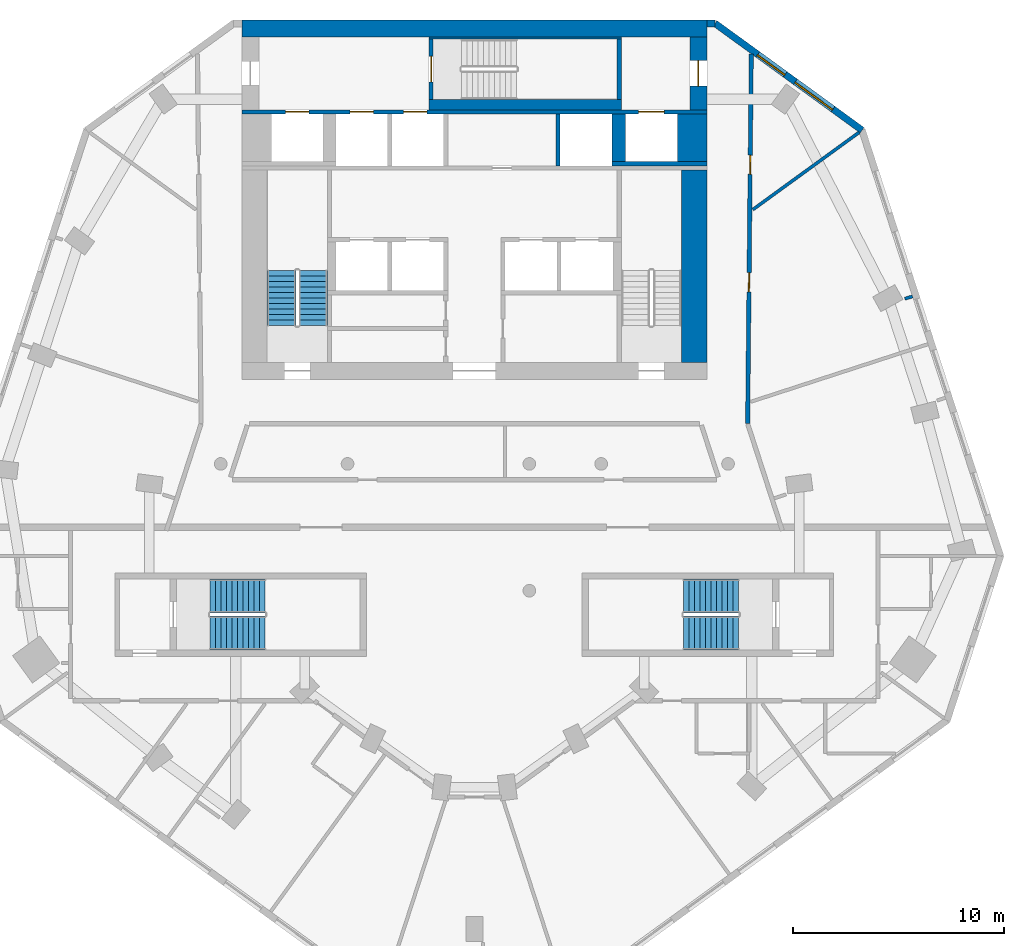
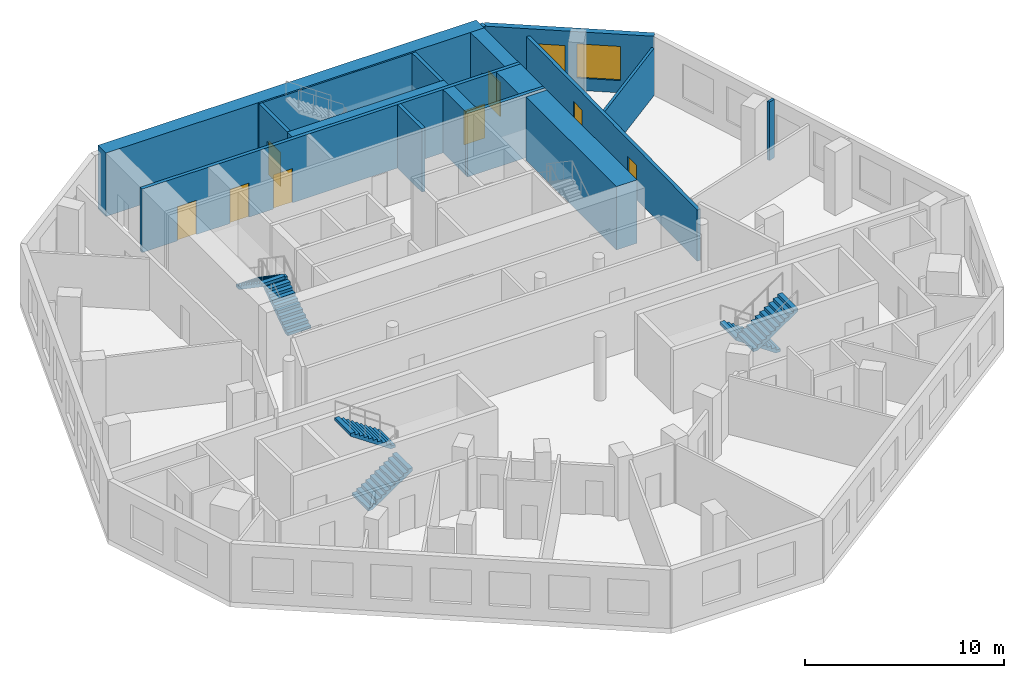
# One storey, part 6 of 9: 17 walls, 8 doors, 6 stair flights, 2 windows, 10 openings, 3 elements without a shape of their own.
"""IFC4 building model written with IfcOpenShell, lengths in metres."""

from ifc_helpers import new_model, si_unit, direction, frame, frame_2d, origin, place, context, subcontext, project, spatial, polyline, rectangle, outline, extrude, material, layer, layer_set, type_object, element, fill, aggregate, save


model = new_model("IFC4")

# Units and contexts
model_context = context("Model", 3, precision=1e-05, world=origin(), true_north=direction((0.0, 1.0)))
body_context = subcontext(model_context, "Body", "Model", "MODEL_VIEW")
ifc_project = project(units=[si_unit("LENGTHUNIT", "METRE"), si_unit("AREAUNIT", "SQUARE_METRE"), si_unit("VOLUMEUNIT", "CUBIC_METRE"), si_unit("PLANEANGLEUNIT", "RADIAN"), si_unit("MASSUNIT", "GRAM", prefix="KILO")], contexts=[model_context])

# Site, building, storey
site_placement = place(None, origin())
site = spatial("IfcSite", under=ifc_project, at=site_placement, CompositionType="ELEMENT")
building_placement = place(site_placement, origin())
building = spatial("IfcBuilding", under=site, at=building_placement, Name="White Candle Pilgrim Tower", CompositionType="ELEMENT")
storey_placement = place(building_placement, frame((0.0, 0.0, 204.300048828125)))
storey = spatial("IfcBuildingStorey", under=building, at=storey_placement, Name="L47", CompositionType="ELEMENT", Elevation=204.300048828125)

# Walls
ifc_material_1 = material(Name="Concrete C50/60", Category="concrete")
ifc_layer_1 = layer(ifc_material_1, 1.39990234375)
ifc_layer_set_1 = layer_set([ifc_layer_1], Name="Core wall 1400 mm Concrete C50/60")
wall_type_1 = type_object("IfcWallType", Name="Core wall 1400 mm Concrete C50/60", PredefinedType="SHEAR", material=ifc_layer_set_1)
wall_1_placement = place(storey_placement, frame((80.300048828125, 81.300048828125, 0.0), z_axis=(0.0, 0.0, 1.0), x_axis=(0.0, 1.0, 0.0)))
element("IfcWall", 1, at=wall_1_placement, inside=storey, type_object=wall_type_1, Name="WL-L47-C42", PredefinedType="SHEAR", context=body_context, shape_type="SweptSolid", body=[
    extrude(rectangle(XDim=2.25, YDim=1.39990234375, at=frame_2d((1.125, 0.0))), origin(), (0.0, 0.0, 1.0), 3.89990234375),
])
ifc_layer_2 = layer(ifc_material_1, 0.199951171875)
ifc_layer_set_2 = layer_set([ifc_layer_2], Name="Core wall 200 mm Concrete C50/60")
wall_type_2 = type_object("IfcWallType", Name="Core wall 200 mm Concrete C50/60", PredefinedType="SHEAR", material=ifc_layer_set_2)
wall_2_placement = place(storey_placement, frame((76.5, 81.199951171875, 0.0), z_axis=(0.0, 0.0, 1.0), x_axis=(1.0, 0.0, 0.0)))
element("IfcWall", 2, at=wall_2_placement, inside=storey, type_object=wall_type_2, Name="WL-L47-C38", PredefinedType="SHEAR", context=body_context, shape_type="SweptSolid", body=[
    extrude(rectangle(XDim=4.5, YDim=0.199951171875, at=frame_2d((2.25, 0.0))), origin(), (0.0, 0.0, 1.0), 3.89990234375),
])

# Wall, openings, doors
wall_3_placement = place(storey_placement, frame((59.0, 83.64990234375, 0.0), z_axis=(0.0, 0.0, 1.0), x_axis=(1.0, 0.0, 0.0)))
wall_3 = element("IfcWall", 3, at=wall_3_placement, inside=storey, type_object=wall_type_2, Name="WL-L47-C43", PredefinedType="SHEAR", context=body_context, shape_type="SweptSolid", body=[
    extrude(rectangle(XDim=22.0, YDim=0.199951171875, at=frame_2d((11.0, 0.0))), origin(), (0.0, 0.0, 1.0), 3.89990234375),
])
opening_1_placement = place(wall_3_placement, frame((5.125, 0.0, 0.0)))
opening_1 = element("IfcOpeningElement", 4, at=opening_1_placement, cuts=wall_3, Name="Opening T14-018", PredefinedType="OPENING", context=body_context, shape_type="SweptSolid", body=[
    extrude(rectangle(XDim=1.10009765625, YDim=2.10009765625, at=frame_2d((0.550048828125, 1.050048828125))), frame((0.0, 0.10986328125, 0.0), z_axis=(0.0, -1.0, 0.0), x_axis=(1.0, 0.0, 0.0)), (0.0, 0.0, 1.0), 0.219970703125),
])
opening_2_placement = place(wall_3_placement, frame((7.64990234375, 0.0, 0.0)))
opening_2 = element("IfcOpeningElement", 5, at=opening_2_placement, cuts=wall_3, Name="Opening T14-019", PredefinedType="OPENING", context=body_context, shape_type="SweptSolid", body=[
    extrude(rectangle(XDim=1.10009765625, YDim=2.10009765625, at=frame_2d((0.550048828125, 1.050048828125))), frame((0.0, 0.10986328125, 0.0), z_axis=(0.0, -1.0, 0.0), x_axis=(1.0, 0.0, 0.0)), (0.0, 0.0, 1.0), 0.219970703125),
])
opening_3_placement = place(wall_3_placement, frame((18.77490234375, 0.0, 0.0)))
opening_3 = element("IfcOpeningElement", 6, at=opening_3_placement, cuts=wall_3, Name="Opening T14-020", PredefinedType="OPENING", context=body_context, shape_type="SweptSolid", body=[
    extrude(rectangle(XDim=1.199951171875, YDim=2.10009765625, at=frame_2d((0.60009765625, 1.050048828125))), frame((0.0, 0.10986328125, 0.0), z_axis=(0.0, -1.0, 0.0), x_axis=(1.0, 0.0, 0.0)), (0.0, 0.0, 1.0), 0.219970703125),
])
opening_4_placement = place(wall_3_placement, frame((2.074951171875, 0.0, 0.0)))
opening_4 = element("IfcOpeningElement", 7, at=opening_4_placement, cuts=wall_3, Name="Opening T14-021", PredefinedType="OPENING", context=body_context, shape_type="SweptSolid", body=[
    extrude(rectangle(XDim=1.10009765625, YDim=2.10009765625, at=frame_2d((0.550048828125, 1.050048828125))), frame((0.0, 0.10986328125, 0.0), z_axis=(0.0, -1.0, 0.0), x_axis=(1.0, 0.0, 0.0)), (0.0, 0.0, 1.0), 0.219970703125),
])
ifc_material_2 = material(Name="Stainless steel", Category="steel")
door_type_1 = type_object("IfcDoorType", Name="Lift landing door 1100 x 2100 EI 60", OperationType="DOUBLE_DOOR_SLIDING", PredefinedType="DOOR", material=ifc_material_2)
door_1_placement = place(opening_1_placement, origin())
door_1 = element("IfcDoor", 8, at=door_1_placement, inside=storey, type_object=door_type_1, Name="Door T14-018", OperationType="DOUBLE_DOOR_SLIDING", OverallHeight=2.10009765625, OverallWidth=1.10009765625, PredefinedType="DOOR", context=body_context, shape_type="SweptSolid", body=[
    extrude(rectangle(XDim=1.10009765625, YDim=2.10009765625, at=frame_2d((0.550048828125, 1.050048828125))), frame((0.0, 0.02490234375, 0.0), z_axis=(0.0, -1.0, 0.0), x_axis=(1.0, 0.0, 0.0)), (0.0, 0.0, 1.0), 0.050048828125),
])
fill(opening_1, door_1)
door_2_placement = place(opening_2_placement, origin())
door_2 = element("IfcDoor", 9, at=door_2_placement, inside=storey, type_object=door_type_1, Name="Door T14-019", OperationType="DOUBLE_DOOR_SLIDING", OverallHeight=2.10009765625, OverallWidth=1.10009765625, PredefinedType="DOOR", context=body_context, shape_type="SweptSolid", body=[
    extrude(rectangle(XDim=1.10009765625, YDim=2.10009765625, at=frame_2d((0.550048828125, 1.050048828125))), frame((0.0, 0.02490234375, 0.0), z_axis=(0.0, -1.0, 0.0), x_axis=(1.0, 0.0, 0.0)), (0.0, 0.0, 1.0), 0.050048828125),
])
fill(opening_2, door_2)
door_3_placement = place(opening_4_placement, origin())
door_3 = element("IfcDoor", 10, at=door_3_placement, inside=storey, type_object=door_type_1, Name="Door T14-021", OperationType="DOUBLE_DOOR_SLIDING", OverallHeight=2.10009765625, OverallWidth=1.10009765625, PredefinedType="DOOR", context=body_context, shape_type="SweptSolid", body=[
    extrude(rectangle(XDim=1.10009765625, YDim=2.10009765625, at=frame_2d((0.550048828125, 1.050048828125))), frame((0.0, 0.02490234375, 0.0), z_axis=(0.0, -1.0, 0.0), x_axis=(1.0, 0.0, 0.0)), (0.0, 0.0, 1.0), 0.050048828125),
])
fill(opening_4, door_3)
door_type_2 = type_object("IfcDoorType", Name="Lift landing door 1200 x 2100 E 60", OperationType="DOUBLE_DOOR_SLIDING", PredefinedType="DOOR", material=ifc_material_2)
door_4_placement = place(opening_3_placement, origin())
door_4 = element("IfcDoor", 11, at=door_4_placement, inside=storey, type_object=door_type_2, Name="Door T14-020", OperationType="DOUBLE_DOOR_SLIDING", OverallHeight=2.10009765625, OverallWidth=1.199951171875, PredefinedType="DOOR", context=body_context, shape_type="SweptSolid", body=[
    extrude(rectangle(XDim=1.199951171875, YDim=2.10009765625, at=frame_2d((0.60009765625, 1.050048828125))), frame((0.0, 0.02490234375, 0.0), z_axis=(0.0, -1.0, 0.0), x_axis=(1.0, 0.0, 0.0)), (0.0, 0.0, 1.0), 0.050048828125),
])
fill(opening_3, door_4)

# Wall, opening, door
ifc_layer_3 = layer(ifc_material_1, 0.800048828125)
ifc_layer_set_3 = layer_set([ifc_layer_3], Name="Core wall 800 mm Concrete C50/60")
wall_type_3 = type_object("IfcWallType", Name="Core wall 800 mm Concrete C50/60", PredefinedType="SHEAR", material=ifc_layer_set_3)
wall_4_placement = place(storey_placement, frame((80.60009765625, 83.75, 0.0), z_axis=(0.0, 0.0, 1.0), x_axis=(0.0, 1.0, 0.0)))
wall_4 = element("IfcWall", 12, at=wall_4_placement, inside=storey, type_object=wall_type_3, Name="WL-L47-C46", PredefinedType="SHEAR", context=body_context, shape_type="SweptSolid", body=[
    extrude(rectangle(XDim=3.449951171875, YDim=0.800048828125, at=frame_2d((1.72509765625, 0.0))), origin(), (0.0, 0.0, 1.0), 3.89990234375),
])
opening_5_placement = place(wall_4_placement, frame((1.125, 0.0, 0.0)))
opening_5 = element("IfcOpeningElement", 13, at=opening_5_placement, cuts=wall_4, Name="Opening T14-009", PredefinedType="OPENING", context=body_context, shape_type="SweptSolid", body=[
    extrude(rectangle(XDim=1.199951171875, YDim=2.10009765625, at=frame_2d((0.60009765625, 1.050048828125))), frame((0.0, 0.409912109375, 0.0), z_axis=(0.0, -1.0, 0.0), x_axis=(1.0, 0.0, 0.0)), (0.0, 0.0, 1.0), 0.820068359375),
])
ifc_material_3 = material(Name="Steel door leaf", Category="steel")
door_type_3 = type_object("IfcDoorType", Name="Fire door 1200 x 2100 EI 30", OperationType="NOTDEFINED", PredefinedType="DOOR", material=ifc_material_3)
door_5_placement = place(opening_5_placement, origin())
door_5 = element("IfcDoor", 14, at=door_5_placement, inside=storey, type_object=door_type_3, Name="Door T14-009", OperationType="SINGLE_SWING_LEFT", OverallHeight=2.10009765625, OverallWidth=1.199951171875, PredefinedType="DOOR", context=body_context, shape_type="SweptSolid", body=[
    extrude(rectangle(XDim=1.199951171875, YDim=2.10009765625, at=frame_2d((0.60009765625, 1.050048828125))), frame((0.0, 0.02490234375, 0.0), z_axis=(0.0, -1.0, 0.0), x_axis=(1.0, 0.0, 0.0)), (0.0, 0.0, 1.0), 0.050048828125),
])
fill(opening_5, door_5)

# Wall
wall_5_placement = place(storey_placement, frame((59.0, 87.60009765625, 0.0), z_axis=(0.0, 0.0, 1.0), x_axis=(1.0, 0.0, 0.0)))
element("IfcWall", 15, at=wall_5_placement, inside=storey, type_object=wall_type_3, Name="WL-L47-C50", PredefinedType="SHEAR", context=body_context, shape_type="SweptSolid", body=[
    extrude(rectangle(XDim=22.0, YDim=0.800048828125, at=frame_2d((11.0, 0.0))), origin(), (0.0, 0.0, 1.0), 3.89990234375),
])

# Wall, openings, doors
ifc_material_4 = material(Name="Gypsum board on steel studs", Category="steel")
ifc_layer_4 = layer(ifc_material_4, 0.199951171875)
ifc_layer_set_4 = layer_set([ifc_layer_4], Name="Corridor wall 200 mm EI 45")
wall_type_4 = type_object("IfcWallType", Name="Corridor wall 200 mm EI 45", PredefinedType="PARTITIONING", material=ifc_layer_set_4)
wall_6_placement = place(storey_placement, frame((83.10009765625, 86.396240234375, 0.0), z_axis=(0.0, 0.0, 1.0), x_axis=(-0.009846166448, -0.999951525328, 0.0)))
wall_6 = element("IfcWall", 16, at=wall_6_placement, inside=storey, type_object=wall_type_4, Name="WL-L47-P004", PredefinedType="PARTITIONING", context=body_context, shape_type="SweptSolid", body=[
    extrude(rectangle(XDim=17.480712890625, YDim=0.199951171875, at=frame_2d((8.740234375, 0.0))), origin(), (0.0, 0.0, 1.0), 3.14990234375),
])
opening_6_placement = place(wall_6_placement, frame((4.794189453125, 0.0, 0.0)))
opening_6 = element("IfcOpeningElement", 17, at=opening_6_placement, cuts=wall_6, Name="Opening T14-121", PredefinedType="OPENING", context=body_context, shape_type="SweptSolid", body=[
    extrude(rectangle(XDim=0.89990234375, YDim=2.10009765625, at=frame_2d((0.449951171875, 1.050048828125))), frame((0.0, 0.10986328125, 0.0), z_axis=(0.0, -1.0, 0.0), x_axis=(1.0, 0.0, 0.0)), (0.0, 0.0, 1.0), 0.219970703125),
])
opening_7_placement = place(wall_6_placement, frame((10.353515625, 0.0, 0.0)))
opening_7 = element("IfcOpeningElement", 18, at=opening_7_placement, cuts=wall_6, Name="Opening T14-122", PredefinedType="OPENING", context=body_context, shape_type="SweptSolid", body=[
    extrude(rectangle(XDim=0.89990234375, YDim=2.10009765625, at=frame_2d((0.449951171875, 1.050048828125))), frame((0.0, 0.10986328125, 0.0), z_axis=(0.0, -1.0, 0.0), x_axis=(1.0, 0.0, 0.0)), (0.0, 0.0, 1.0), 0.219970703125),
])
door_type_4 = type_object("IfcDoorType", Name="Fire door 900 x 2100 EI 30", OperationType="NOTDEFINED", PredefinedType="DOOR", material=ifc_material_3)
door_6_placement = place(opening_6_placement, origin())
door_6 = element("IfcDoor", 19, at=door_6_placement, inside=storey, type_object=door_type_4, Name="Door T14-121", OperationType="SINGLE_SWING_LEFT", OverallHeight=2.10009765625, OverallWidth=0.89990234375, PredefinedType="DOOR", context=body_context, shape_type="SweptSolid", body=[
    extrude(rectangle(XDim=0.89990234375, YDim=2.10009765625, at=frame_2d((0.449951171875, 1.050048828125))), frame((0.0, 0.02490234375, 0.0), z_axis=(0.0, -1.0, 0.0), x_axis=(1.0, 0.0, 0.0)), (0.0, 0.0, 1.0), 0.050048828125),
])
fill(opening_6, door_6)
door_7_placement = place(opening_7_placement, origin())
door_7 = element("IfcDoor", 20, at=door_7_placement, inside=storey, type_object=door_type_4, Name="Door T14-122", OperationType="SINGLE_SWING_RIGHT", OverallHeight=2.10009765625, OverallWidth=0.89990234375, PredefinedType="DOOR", context=body_context, shape_type="SweptSolid", body=[
    extrude(rectangle(XDim=0.89990234375, YDim=2.10009765625, at=frame_2d((0.449951171875, 1.050048828125))), frame((0.0, 0.02490234375, 0.0), z_axis=(0.0, -1.0, 0.0), x_axis=(1.0, 0.0, 0.0)), (0.0, 0.0, 1.0), 0.050048828125),
])
fill(opening_7, door_7)

# Wall, openings, windows
ifc_material_5 = material(Name="Precast concrete C40/50", Category="concrete")
ifc_layer_5 = layer(ifc_material_5, 0.320068359375)
ifc_layer_set_5 = layer_set([ifc_layer_5], Name="Facade wall EW1 precast concrete C40/50 pier wall with timber-lined reveals")
wall_type_5 = type_object("IfcWallType", Name="Facade wall EW1 precast concrete C40/50 pier wall with timber-lined reveals", PredefinedType="SOLIDWALL", material=ifc_layer_set_5)
wall_7_placement = place(storey_placement, frame((88.342041015625, 82.785400390625, 0.0), z_axis=(0.0, 0.0, 1.0), x_axis=(-0.809010998506, 0.58779350481, 0.0)))
wall_7 = element("IfcWall", 21, at=wall_7_placement, inside=storey, type_object=wall_type_5, Name="Facade wall L47 NE chamfer", PredefinedType="SOLIDWALL", context=body_context, shape_type="SweptSolid", body=[
    extrude(rectangle(XDim=8.599365234375, YDim=0.320068359375, at=frame_2d((4.2998046875, 0.0))), origin(), (0.0, 0.0, 1.0), 3.599853515625),
])
opening_8_placement = place(wall_7_placement, frame((1.69970703125, 0.0, 0.75)))
opening_8 = element("IfcOpeningElement", 22, at=opening_8_placement, cuts=wall_7, Name="Opening W4", PredefinedType="OPENING", context=body_context, shape_type="SweptSolid", body=[
    extrude(rectangle(XDim=2.199951171875, YDim=2.10009765625, at=frame_2d((1.10009765625, 1.050048828125))), frame((0.0, 0.169921875, 0.0), z_axis=(0.0, -1.0, 0.0), x_axis=(1.0, 0.0, 0.0)), (0.0, 0.0, 1.0), 0.340087890625),
])
opening_9_placement = place(wall_7_placement, frame((4.499755859375, 0.0, 0.89990234375)))
opening_9 = element("IfcOpeningElement", 23, at=opening_9_placement, cuts=wall_7, Name="Opening W2", PredefinedType="OPENING", context=body_context, shape_type="SweptSolid", body=[
    extrude(rectangle(XDim=1.60009765625, YDim=1.800048828125, at=frame_2d((0.800048828125, 0.89990234375))), frame((0.0, 0.169921875, 0.0), z_axis=(0.0, -1.0, 0.0), x_axis=(1.0, 0.0, 0.0)), (0.0, 0.0, 1.0), 0.340087890625),
])
ifc_material_6 = material(Name="Timber frame with triple glazing", Category="wood")
window_type_1 = type_object("IfcWindowType", Name="Window W2 1600x1800 timber frame triple glazing", PartitioningType="SINGLE_PANEL", PredefinedType="WINDOW", material=ifc_material_6)
window_1_placement = place(opening_9_placement, origin())
window_1 = element("IfcWindow", 24, at=window_1_placement, inside=storey, type_object=window_type_1, Name="Window W2 L47 NE chamfer 2", OverallHeight=1.800048828125, OverallWidth=1.60009765625, PartitioningType="SINGLE_PANEL", PredefinedType="WINDOW", context=body_context, shape_type="SweptSolid", body=[
    extrude(rectangle(XDim=1.60009765625, YDim=1.800048828125, at=frame_2d((0.800048828125, 0.89990234375))), frame((0.0, 0.070068359375, 0.0), z_axis=(0.0, -1.0, 0.0), x_axis=(1.0, 0.0, 0.0)), (0.0, 0.0, 1.0), 0.06005859375),
])
fill(opening_9, window_1)
window_type_2 = type_object("IfcWindowType", Name="Window W4 2200x2100 timber frame triple glazing", PartitioningType="SINGLE_PANEL", PredefinedType="WINDOW", material=ifc_material_6)
window_2_placement = place(opening_8_placement, origin())
window_2 = element("IfcWindow", 25, at=window_2_placement, inside=storey, type_object=window_type_2, Name="Window W4 L47 NE chamfer 1", OverallHeight=2.10009765625, OverallWidth=2.199951171875, PartitioningType="SINGLE_PANEL", PredefinedType="WINDOW", context=body_context, shape_type="SweptSolid", body=[
    extrude(rectangle(XDim=2.199951171875, YDim=2.10009765625, at=frame_2d((1.10009765625, 1.050048828125))), frame((0.0, 0.070068359375, 0.0), z_axis=(0.0, -1.0, 0.0), x_axis=(1.0, 0.0, 0.0)), (0.0, 0.0, 1.0), 0.06005859375),
])
fill(opening_8, window_2)

# Walls
wall_8_placement = place(storey_placement, frame((81.385009765625, 87.840087890625, 0.0), z_axis=(0.0, 0.0, 1.0), x_axis=(-1.0, 0.0, 0.0)))
element("IfcWall", 26, at=wall_8_placement, inside=storey, type_object=wall_type_5, Name="Facade wall L47 N", PredefinedType="SOLIDWALL", context=body_context, shape_type="SweptSolid", body=[
    extrude(rectangle(XDim=0.385009765625, YDim=0.320068359375, at=frame_2d((0.1923828125, 0.0))), origin(), (0.0, 0.0, 1.0), 3.599853515625),
])
ifc_layer_6 = layer(ifc_material_4, 0.14990234375)
ifc_layer_set_6 = layer_set([ifc_layer_6], Name="Partition 150 mm EI 60")
wall_type_6 = type_object("IfcWallType", Name="Partition 150 mm EI 60", PredefinedType="PARTITIONING", material=ifc_layer_set_6)
wall_9_placement = place(storey_placement, frame((88.2060546875, 82.6865234375, 0.0), z_axis=(0.0, 0.0, 1.0), x_axis=(-0.809027823237, -0.587770347354, 0.0)))
element("IfcWall", 27, at=wall_9_placement, inside=storey, type_object=wall_type_6, Name="WL-L47-P024", PredefinedType="PARTITIONING", context=body_context, shape_type="SweptSolid", body=[
    extrude(rectangle(XDim=6.22216796875, YDim=0.14990234375, at=frame_2d((3.111083984375, 0.0))), origin(), (0.0, 0.0, 1.0), 2.89990234375),
])
wall_10_placement = place(storey_placement, frame((90.364501953125, 74.80859375, 0.0), z_axis=(0.0, 0.0, 1.0), x_axis=(0.951024661998, 0.309115014633, 0.0)))
element("IfcWall", 28, at=wall_10_placement, inside=storey, type_object=wall_type_6, Name="WL-L47-P050", PredefinedType="PARTITIONING", context=body_context, shape_type="SweptSolid", body=[
    extrude(rectangle(XDim=0.381591796875, YDim=0.14990234375, at=frame_2d((0.19091796875, 0.0))), origin(), (0.0, 0.0, 1.0), 3.599853515625),
])
ifc_layer_7 = layer(ifc_material_1, 0.199951171875)
ifc_layer_set_7 = layer_set([ifc_layer_7], Name="Shaft wall 200 mm Concrete C50/60")
wall_type_7 = type_object("IfcWallType", Name="Shaft wall 200 mm Concrete C50/60", PredefinedType="SHEAR", material=ifc_layer_set_7)
wall_11_placement = place(storey_placement, frame((73.949951171875, 81.10009765625, 0.0), z_axis=(0.0, 0.0, 1.0), x_axis=(0.0, 1.0, 0.0)))
element("IfcWall", 29, at=wall_11_placement, inside=storey, type_object=wall_type_7, Name="WL-L47-C37", PredefinedType="SHEAR", context=body_context, shape_type="SweptSolid", body=[
    extrude(rectangle(XDim=2.449951171875, YDim=0.199951171875, at=frame_2d((1.22509765625, 0.0))), origin(), (0.0, 0.0, 1.0), 3.89990234375),
])
ifc_layer_8 = layer(ifc_material_1, 0.64990234375)
ifc_layer_set_8 = layer_set([ifc_layer_8], Name="Shaft wall 650 mm Concrete C50/60")
wall_type_8 = type_object("IfcWallType", Name="Shaft wall 650 mm Concrete C50/60", PredefinedType="SHEAR", material=ifc_layer_set_8)
wall_12_placement = place(storey_placement, frame((76.824951171875, 81.300048828125, 0.0), z_axis=(0.0, 0.0, 1.0), x_axis=(0.0, 1.0, 0.0)))
element("IfcWall", 30, at=wall_12_placement, inside=storey, type_object=wall_type_8, Name="WL-L47-C41", PredefinedType="SHEAR", context=body_context, shape_type="SweptSolid", body=[
    extrude(rectangle(XDim=2.25, YDim=0.64990234375, at=frame_2d((1.125, 0.0))), origin(), (0.0, 0.0, 1.0), 3.89990234375),
])
ifc_layer_9 = layer(ifc_material_1, 0.10009765625)
ifc_layer_set_9 = layer_set([ifc_layer_9], Name="Stair shaft wall 100 mm Concrete C50/60")
wall_type_9 = type_object("IfcWallType", Name="Stair shaft wall 100 mm Concrete C50/60", PredefinedType="SHEAR", material=ifc_layer_set_9)
wall_13_placement = place(storey_placement, frame((67.85009765625, 87.14990234375, 0.0), z_axis=(0.0, 0.0, 1.0), x_axis=(1.0, 0.0, 0.0)))
element("IfcWall", 31, at=wall_13_placement, inside=storey, type_object=wall_type_9, Name="WL-L47-C49", PredefinedType="SHEAR", context=body_context, shape_type="SweptSolid", body=[
    extrude(rectangle(XDim=9.099853515625, YDim=0.10009765625, at=frame_2d((4.5498046875, 0.0))), origin(), (0.0, 0.0, 1.0), 3.89990234375),
])
ifc_layer_10 = layer(ifc_material_1, 1.199951171875)
ifc_layer_set_10 = layer_set([ifc_layer_10], Name="Stair shaft wall 1200 mm Concrete C50/60")
wall_type_10 = type_object("IfcWallType", Name="Stair shaft wall 1200 mm Concrete C50/60", PredefinedType="SHEAR", material=ifc_layer_set_10)
wall_14_placement = place(storey_placement, frame((80.39990234375, 71.800048828125, 0.0), z_axis=(0.0, 0.0, 1.0), x_axis=(0.0, 1.0, 0.0)))
element("IfcWall", 32, at=wall_14_placement, inside=storey, type_object=wall_type_10, Name="WL-L47-C17", PredefinedType="SHEAR", context=body_context, shape_type="SweptSolid", body=[
    extrude(rectangle(XDim=9.099853515625, YDim=1.199951171875, at=frame_2d((4.5498046875, 0.0))), origin(), (0.0, 0.0, 1.0), 3.89990234375),
])

# Wall, opening, door
ifc_layer_11 = layer(ifc_material_1, 0.199951171875)
ifc_layer_set_11 = layer_set([ifc_layer_11], Name="Stair shaft wall 200 mm Concrete C50/60")
wall_type_11 = type_object("IfcWallType", Name="Stair shaft wall 200 mm Concrete C50/60", PredefinedType="SHEAR", material=ifc_layer_set_11)
wall_15_placement = place(storey_placement, frame((67.949951171875, 84.25, 0.0), z_axis=(0.0, 0.0, 1.0), x_axis=(0.0, 1.0, 0.0)))
wall_15 = element("IfcWall", 33, at=wall_15_placement, inside=storey, type_object=wall_type_11, Name="WL-L47-C47", PredefinedType="SHEAR", context=body_context, shape_type="SweptSolid", body=[
    extrude(rectangle(XDim=2.85009765625, YDim=0.199951171875, at=frame_2d((1.425048828125, 0.0))), origin(), (0.0, 0.0, 1.0), 3.89990234375),
])
opening_10_placement = place(wall_15_placement, frame((0.824951171875, 0.0, 0.0)))
opening_10 = element("IfcOpeningElement", 34, at=opening_10_placement, cuts=wall_15, Name="Opening T14-003", PredefinedType="OPENING", context=body_context, shape_type="SweptSolid", body=[
    extrude(rectangle(XDim=1.199951171875, YDim=2.10009765625, at=frame_2d((0.60009765625, 1.050048828125))), frame((0.0, 0.10986328125, 0.0), z_axis=(0.0, -1.0, 0.0), x_axis=(1.0, 0.0, 0.0)), (0.0, 0.0, 1.0), 0.219970703125),
])
door_type_5 = type_object("IfcDoorType", Name="Fire door 1200 x 2100 EI 60", OperationType="NOTDEFINED", PredefinedType="DOOR", material=ifc_material_3)
door_8_placement = place(opening_10_placement, frame((1.199951171875, 0.0, 0.0), z_axis=(0.0, 0.0, 1.0), x_axis=(-1.0, 0.0, 0.0)))
door_8 = element("IfcDoor", 35, at=door_8_placement, inside=storey, type_object=door_type_5, Name="Door T14-003", OperationType="SINGLE_SWING_RIGHT", OverallHeight=2.10009765625, OverallWidth=1.199951171875, PredefinedType="DOOR", context=body_context, shape_type="SweptSolid", body=[
    extrude(rectangle(XDim=1.199951171875, YDim=2.10009765625, at=frame_2d((0.60009765625, 1.050048828125))), frame((0.0, 0.02490234375, 0.0), z_axis=(0.0, -1.0, 0.0), x_axis=(1.0, 0.0, 0.0)), (0.0, 0.0, 1.0), 0.050048828125),
])
fill(opening_10, door_8)

# Walls
wall_16_placement = place(storey_placement, frame((76.85009765625, 84.25, 0.0), z_axis=(0.0, 0.0, 1.0), x_axis=(0.0, 1.0, 0.0)))
element("IfcWall", 36, at=wall_16_placement, inside=storey, type_object=wall_type_11, Name="WL-L47-C48", PredefinedType="SHEAR", context=body_context, shape_type="SweptSolid", body=[
    extrude(rectangle(XDim=2.85009765625, YDim=0.199951171875, at=frame_2d((1.425048828125, 0.0))), origin(), (0.0, 0.0, 1.0), 3.89990234375),
])
ifc_layer_12 = layer(ifc_material_1, 0.5)
ifc_layer_set_12 = layer_set([ifc_layer_12], Name="Stair shaft wall 500 mm Concrete C50/60")
wall_type_12 = type_object("IfcWallType", Name="Stair shaft wall 500 mm Concrete C50/60", PredefinedType="SHEAR", material=ifc_layer_set_12)
wall_17_placement = place(storey_placement, frame((67.85009765625, 84.0, 0.0), z_axis=(0.0, 0.0, 1.0), x_axis=(1.0, 0.0, 0.0)))
element("IfcWall", 37, at=wall_17_placement, inside=storey, type_object=wall_type_12, Name="WL-L47-C45", PredefinedType="SHEAR", context=body_context, shape_type="SweptSolid", body=[
    extrude(rectangle(XDim=9.099853515625, YDim=0.5, at=frame_2d((4.5498046875, 0.0))), origin(), (0.0, 0.0, 1.0), 3.89990234375),
])

# Stair, stair flights
ifc_material_7 = material(Name="Concrete C40/50", Category="concrete")
stair_type_1 = type_object("IfcStairType", Name="Exit stair 1 flight width 1350 mm", PredefinedType="HALF_TURN_STAIR", material=ifc_material_7)
stair_1_placement = place(storey_placement, origin())
stair_1 = element("IfcStair", 38, at=stair_1_placement, inside=storey, type_object=stair_type_1, Name="L47 stair 1", PredefinedType="NOTDEFINED")
ifc_layer_13 = layer(ifc_material_7, 0.14990234375)
ifc_layer_set_13 = layer_set([ifc_layer_13], Name="Stair flight Concrete C40/50")
stair_flight_type = type_object("IfcStairFlightType", Name="Stair flight Concrete C40/50", PredefinedType="STRAIGHT", material=ifc_layer_set_13)
stair_flight_1_placement = place(storey_placement, frame((62.375, 73.550048828125, 0.0), z_axis=(0.0, 0.0, 1.0), x_axis=(0.0, 1.0, 0.0)))
stair_flight_1 = element("IfcStairFlight", 39, at=stair_flight_1_placement, type_object=stair_flight_type, Name="ST1 flight 1", NumberOfRisers=11, NumberOfTreads=10, PredefinedType="NOTDEFINED", RiserHeight=0.177272727, TreadLength=0.26, context=body_context, shape_type="SweptSolid", body=[
    extrude(outline(polyline([(0.0, 0.0), (0.0, 0.17724609375), (0.260009765625, 0.17724609375), (0.260009765625, 0.3544921875), (0.52001953125, 0.3544921875), (0.52001953125, 0.53173828125), (0.780029296875, 0.53173828125), (0.780029296875, 0.708984375), (1.0400390625, 0.708984375), (1.0400390625, 0.886474609375), (1.300048828125, 0.886474609375), (1.300048828125, 1.063720703125), (1.56005859375, 1.063720703125), (1.56005859375, 1.240966796875), (1.820068359375, 1.240966796875), (1.820068359375, 1.418212890625), (2.080078125, 1.418212890625), (2.080078125, 1.595458984375), (2.340087890625, 1.595458984375), (2.340087890625, 1.772705078125), (2.60009765625, 1.772705078125), (2.60009765625, 1.949951171875), (2.60009765625, 1.59130859375), (0.26611328125, 0.0), (0.0, 0.0)])), frame((0.0, 0.675048828125, 0.0), z_axis=(0.0, -1.0, 0.0), x_axis=(1.0, 0.0, 0.0)), (0.0, 0.0, 1.0), 1.35009765625),
])
stair_flight_2_placement = place(storey_placement, frame((60.875, 76.14990234375, 1.949951171875), z_axis=(0.0, 0.0, 1.0), x_axis=(0.0, -1.0, 0.0)))
stair_flight_2 = element("IfcStairFlight", 40, at=stair_flight_2_placement, type_object=stair_flight_type, Name="ST1 flight 2", NumberOfRisers=11, NumberOfTreads=10, PredefinedType="NOTDEFINED", RiserHeight=0.177272727, TreadLength=0.26, context=body_context, shape_type="SweptSolid", body=[
    extrude(outline(polyline([(0.0, 0.0), (0.0, 0.17724609375), (0.260009765625, 0.17724609375), (0.260009765625, 0.3544921875), (0.52001953125, 0.3544921875), (0.52001953125, 0.53173828125), (0.780029296875, 0.53173828125), (0.780029296875, 0.708984375), (1.0400390625, 0.708984375), (1.0400390625, 0.886474609375), (1.300048828125, 0.886474609375), (1.300048828125, 1.063720703125), (1.56005859375, 1.063720703125), (1.56005859375, 1.240966796875), (1.820068359375, 1.240966796875), (1.820068359375, 1.418212890625), (2.080078125, 1.418212890625), (2.080078125, 1.595458984375), (2.340087890625, 1.595458984375), (2.340087890625, 1.772705078125), (2.60009765625, 1.772705078125), (2.60009765625, 1.949951171875), (2.60009765625, 1.59130859375), (0.26611328125, 0.0), (0.0, 0.0)])), frame((0.0, 0.675048828125, 0.0), z_axis=(0.0, -1.0, 0.0), x_axis=(1.0, 0.0, 0.0)), (0.0, 0.0, 1.0), 1.35009765625),
])
aggregate(stair_1, [stair_flight_1, stair_flight_2])

stair_type_2 = type_object("IfcStairType", Name="Exit stair 4 flight width 1600 mm", PredefinedType="HALF_TURN_STAIR", material=ifc_material_7)
stair_2_placement = place(storey_placement, origin())
stair_2 = element("IfcStair", 41, at=stair_2_placement, inside=storey, type_object=stair_type_2, Name="L47 stair 4", PredefinedType="NOTDEFINED")
stair_flight_3_placement = place(storey_placement, frame((82.5, 60.75, 0.0), z_axis=(0.0, 0.0, 1.0), x_axis=(-1.0, 0.0, 0.0)))
stair_flight_3 = element("IfcStairFlight", 42, at=stair_flight_3_placement, type_object=stair_flight_type, Name="ST4 flight 1", NumberOfRisers=11, NumberOfTreads=10, PredefinedType="NOTDEFINED", RiserHeight=0.177272727, TreadLength=0.26, context=body_context, shape_type="SweptSolid", body=[
    extrude(outline(polyline([(0.0, 0.0), (0.0, 0.17724609375), (0.260009765625, 0.17724609375), (0.260009765625, 0.3544921875), (0.52001953125, 0.3544921875), (0.52001953125, 0.53173828125), (0.780029296875, 0.53173828125), (0.780029296875, 0.708984375), (1.0400390625, 0.708984375), (1.0400390625, 0.886474609375), (1.300048828125, 0.886474609375), (1.300048828125, 1.063720703125), (1.56005859375, 1.063720703125), (1.56005859375, 1.240966796875), (1.820068359375, 1.240966796875), (1.820068359375, 1.418212890625), (2.080078125, 1.418212890625), (2.080078125, 1.595458984375), (2.340087890625, 1.595458984375), (2.340087890625, 1.772705078125), (2.60009765625, 1.772705078125), (2.60009765625, 1.949951171875), (2.60009765625, 1.59130859375), (0.26611328125, 0.0), (0.0, 0.0)])), frame((0.0, 0.800048828125, 0.0), z_axis=(0.0, -1.0, 0.0), x_axis=(1.0, 0.0, 0.0)), (0.0, 0.0, 1.0), 1.60009765625),
])
stair_flight_4_placement = place(storey_placement, frame((79.89990234375, 59.0, 1.949951171875), z_axis=(0.0, 0.0, 1.0), x_axis=(1.0, 0.0, 0.0)))
stair_flight_4 = element("IfcStairFlight", 43, at=stair_flight_4_placement, type_object=stair_flight_type, Name="ST4 flight 2", NumberOfRisers=11, NumberOfTreads=10, PredefinedType="NOTDEFINED", RiserHeight=0.177272727, TreadLength=0.26, context=body_context, shape_type="SweptSolid", body=[
    extrude(outline(polyline([(0.0, 0.0), (0.0, 0.17724609375), (0.260009765625, 0.17724609375), (0.260009765625, 0.3544921875), (0.52001953125, 0.3544921875), (0.52001953125, 0.53173828125), (0.780029296875, 0.53173828125), (0.780029296875, 0.708984375), (1.0400390625, 0.708984375), (1.0400390625, 0.886474609375), (1.300048828125, 0.886474609375), (1.300048828125, 1.063720703125), (1.56005859375, 1.063720703125), (1.56005859375, 1.240966796875), (1.820068359375, 1.240966796875), (1.820068359375, 1.418212890625), (2.080078125, 1.418212890625), (2.080078125, 1.595458984375), (2.340087890625, 1.595458984375), (2.340087890625, 1.772705078125), (2.60009765625, 1.772705078125), (2.60009765625, 1.949951171875), (2.60009765625, 1.59130859375), (0.26611328125, 0.0), (0.0, 0.0)])), frame((0.0, 0.800048828125, 0.0), z_axis=(0.0, -1.0, 0.0), x_axis=(1.0, 0.0, 0.0)), (0.0, 0.0, 1.0), 1.60009765625),
])
aggregate(stair_2, [stair_flight_3, stair_flight_4])

stair_type_3 = type_object("IfcStairType", Name="Exit stair 5 flight width 1600 mm", PredefinedType="HALF_TURN_STAIR", material=ifc_material_7)
stair_3_placement = place(storey_placement, origin())
stair_3 = element("IfcStair", 44, at=stair_3_placement, inside=storey, type_object=stair_type_3, Name="L47 stair 5", PredefinedType="NOTDEFINED")
stair_flight_5_placement = place(storey_placement, frame((57.5, 59.0, 0.0), z_axis=(0.0, 0.0, 1.0), x_axis=(1.0, 0.0, 0.0)))
stair_flight_5 = element("IfcStairFlight", 45, at=stair_flight_5_placement, type_object=stair_flight_type, Name="ST5 flight 1", NumberOfRisers=11, NumberOfTreads=10, PredefinedType="NOTDEFINED", RiserHeight=0.177272727, TreadLength=0.26, context=body_context, shape_type="SweptSolid", body=[
    extrude(outline(polyline([(0.0, 0.0), (0.0, 0.17724609375), (0.260009765625, 0.17724609375), (0.260009765625, 0.3544921875), (0.52001953125, 0.3544921875), (0.52001953125, 0.53173828125), (0.780029296875, 0.53173828125), (0.780029296875, 0.708984375), (1.0400390625, 0.708984375), (1.0400390625, 0.886474609375), (1.300048828125, 0.886474609375), (1.300048828125, 1.063720703125), (1.56005859375, 1.063720703125), (1.56005859375, 1.240966796875), (1.820068359375, 1.240966796875), (1.820068359375, 1.418212890625), (2.080078125, 1.418212890625), (2.080078125, 1.595458984375), (2.340087890625, 1.595458984375), (2.340087890625, 1.772705078125), (2.60009765625, 1.772705078125), (2.60009765625, 1.949951171875), (2.60009765625, 1.59130859375), (0.26611328125, 0.0), (0.0, 0.0)])), frame((0.0, 0.800048828125, 0.0), z_axis=(0.0, -1.0, 0.0), x_axis=(1.0, 0.0, 0.0)), (0.0, 0.0, 1.0), 1.60009765625),
])
stair_flight_6_placement = place(storey_placement, frame((60.10009765625, 60.75, 1.949951171875), z_axis=(0.0, 0.0, 1.0), x_axis=(-1.0, 0.0, 0.0)))
stair_flight_6 = element("IfcStairFlight", 46, at=stair_flight_6_placement, type_object=stair_flight_type, Name="ST5 flight 2", NumberOfRisers=11, NumberOfTreads=10, PredefinedType="NOTDEFINED", RiserHeight=0.177272727, TreadLength=0.26, context=body_context, shape_type="SweptSolid", body=[
    extrude(outline(polyline([(0.0, 0.0), (0.0, 0.17724609375), (0.260009765625, 0.17724609375), (0.260009765625, 0.3544921875), (0.52001953125, 0.3544921875), (0.52001953125, 0.53173828125), (0.780029296875, 0.53173828125), (0.780029296875, 0.708984375), (1.0400390625, 0.708984375), (1.0400390625, 0.886474609375), (1.300048828125, 0.886474609375), (1.300048828125, 1.063720703125), (1.56005859375, 1.063720703125), (1.56005859375, 1.240966796875), (1.820068359375, 1.240966796875), (1.820068359375, 1.418212890625), (2.080078125, 1.418212890625), (2.080078125, 1.595458984375), (2.340087890625, 1.595458984375), (2.340087890625, 1.772705078125), (2.60009765625, 1.772705078125), (2.60009765625, 1.949951171875), (2.60009765625, 1.59130859375), (0.26611328125, 0.0), (0.0, 0.0)])), frame((0.0, 0.800048828125, 0.0), z_axis=(0.0, -1.0, 0.0), x_axis=(1.0, 0.0, 0.0)), (0.0, 0.0, 1.0), 1.60009765625),
])
aggregate(stair_3, [stair_flight_5, stair_flight_6])

save(model, "model.ifc")
